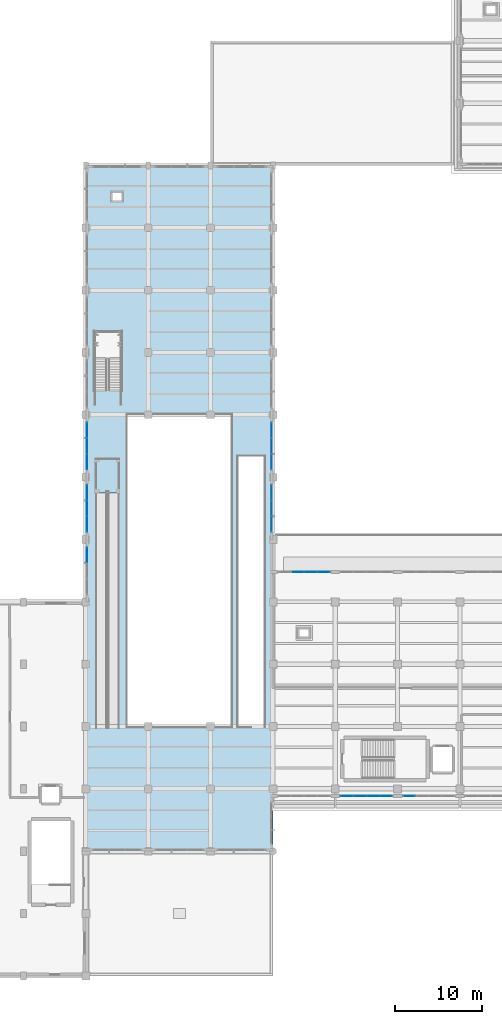
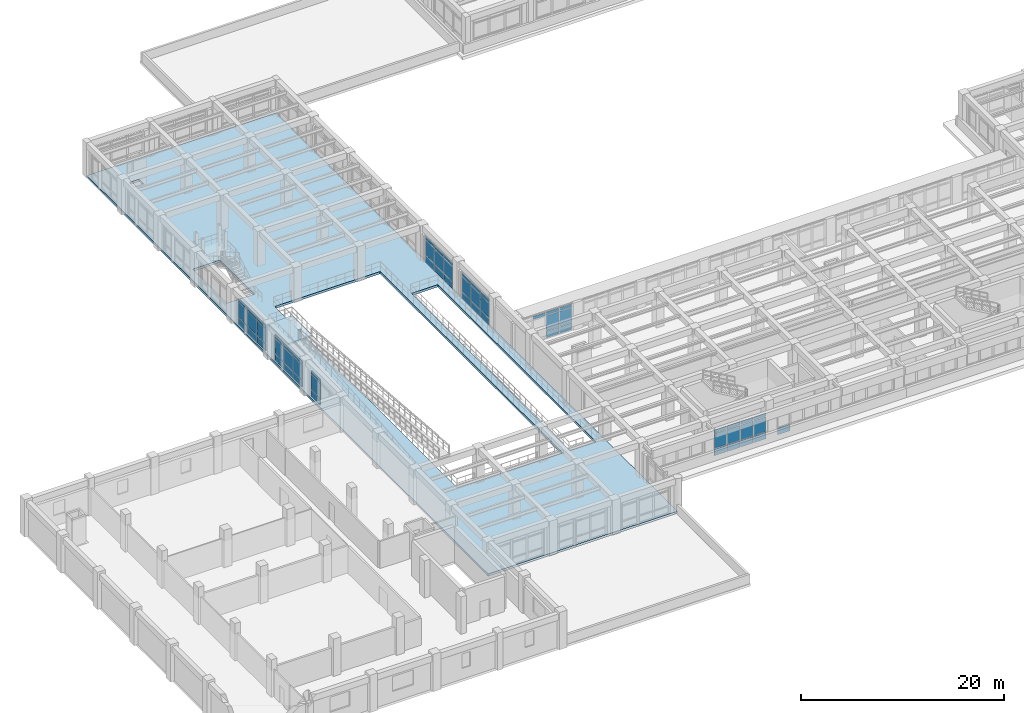
# One storey, part 36 of 69: 59 plates, 2 slabs, 9 elements without a shape of their own.
"""IFC4 building model written with IfcOpenShell, lengths in metres."""

import ifcopenshell
import ifcopenshell.guid

model = None  # the IFC model being written
_history = None  # IfcOwnerHistory: only IFC2X3 demands one
_inside = {}  # id of a spatial element -> (the spatial element, [elements in it])
_under = {}  # id of a project, library or spatial element -> (it, [spatial elements below it])
_declared = {}  # id of a project -> (the project, [libraries it declares])
_typed = {}  # id of a type object -> (the type object, [elements of that type])
_made_of = {}  # id of a material, layer set ... -> (it, [elements and type objects made of it])


def new_model(schema):
    """Start an empty IFC model of exactly this schema.

    Asked for "IFC4X3", IfcOpenShell would pick the latest addendum, in which some entities
    have other attributes; the version numbers below select the first issue.
    IFC2X3 requires an IfcOwnerHistory on every rooted entity: one is made here for all.
    """
    global model, _history
    if schema == "IFC4X3":
        model = ifcopenshell.file(schema_version=(4, 3, 0, 0))
    else:
        model = ifcopenshell.file(schema=schema)
    _inside.clear()
    _under.clear()
    _declared.clear()
    _typed.clear()
    _made_of.clear()
    _history = None
    if model.schema == "IFC2X3":
        org = make("IfcOrganization", Name="unknown")
        user = make(
            "IfcPersonAndOrganization",
            ThePerson=make("IfcPerson", FamilyName="unknown"),
            TheOrganization=org,
        )
        app = make(
            "IfcApplication",
            ApplicationDeveloper=org,
            Version="unknown",
            ApplicationFullName="unknown",
            ApplicationIdentifier="unknown",
        )
        _history = make(
            "IfcOwnerHistory",
            OwningUser=user,
            OwningApplication=app,
            ChangeAction="ADDED",
            CreationDate=0,
        )
    return model


def make(cls, **values):
    """One entity of the class cls with the attributes given. An attribute that is None is left unset."""
    return model.create_entity(
        cls, **{name: value for name, value in values.items() if value is not None}
    )


def rooted(cls, **values):
    """An entity with a GlobalId (a new one), such as an element, a storey or a relation."""
    return make(cls, GlobalId=ifcopenshell.guid.new(), OwnerHistory=_history, **values)


def si_unit(unit_type, name, prefix=None):
    """IfcSIUnit, for example si_unit("LENGTHUNIT", "METRE", prefix="MILLI")."""
    return make("IfcSIUnit", UnitType=unit_type, Prefix=prefix, Name=name)


def assignment(units):
    """IfcUnitAssignment: the units of a project."""
    return None if units is None else make("IfcUnitAssignment", Units=units)


def point(xyz):
    """IfcCartesianPoint."""
    return None if xyz is None else make("IfcCartesianPoint", Coordinates=xyz)


def direction(xyz):
    """IfcDirection."""
    return None if xyz is None else make("IfcDirection", DirectionRatios=xyz)


def frame(location, z_axis=None, x_axis=None):
    """IfcAxis2Placement3D, a coordinate frame: its origin and axes. An axis left out is left unset."""
    return make(
        "IfcAxis2Placement3D",
        Location=point(location),
        Axis=direction(z_axis),
        RefDirection=direction(x_axis),
    )


def frame_2d(location, x_axis=None):
    """IfcAxis2Placement2D, a coordinate frame in the plane: its origin and x axis."""
    return make(
        "IfcAxis2Placement2D", Location=point(location), RefDirection=direction(x_axis)
    )


def origin():
    """The frame at (0, 0, 0) with its axes left unset."""
    return frame((0.0, 0.0, 0.0))


def origin_2d():
    """The frame at (0, 0) in the plane with its x axis left unset."""
    return frame_2d((0.0, 0.0))


def place(relative_to, where):
    """IfcLocalPlacement: puts the frame where relative to a parent placement (None: the world)."""
    return make(
        "IfcLocalPlacement", PlacementRelTo=relative_to, RelativePlacement=where
    )


def context(
    kind, dimensions, precision=None, world=None, true_north=None, identifier=None
):
    """IfcGeometricRepresentationContext, for example the 3D "Model" context."""
    return make(
        "IfcGeometricRepresentationContext",
        ContextIdentifier=identifier,
        ContextType=kind,
        CoordinateSpaceDimension=dimensions,
        Precision=precision,
        WorldCoordinateSystem=world,
        TrueNorth=true_north,
    )


def subcontext(parent, identifier, kind, view, scale=None):
    """IfcGeometricRepresentationSubContext, for example "Body" below "Model"."""
    return make(
        "IfcGeometricRepresentationSubContext",
        ContextIdentifier=identifier,
        ContextType=kind,
        ParentContext=parent,
        TargetScale=scale,
        TargetView=view,
    )


def project(units=None, contexts=None):
    """IfcProject with its units and contexts."""
    return rooted(
        "IfcProject",
        Name="project",
        RepresentationContexts=contexts,
        UnitsInContext=assignment(units),
    )


def spatial(cls, under=None, at=None, **own):
    """A site, building, storey or space (cls), placed at a placement, below another one or the project."""
    s = rooted(cls, ObjectPlacement=at, **own)
    if under is not None:
        _under.setdefault(under.id(), (under, []))[1].append(s)
    return s


def polyline(points):
    """IfcPolyline through the points."""
    return make("IfcPolyline", Points=[point(p) for p in points])


def profile(cls, at=None, kind="AREA", **sizes):
    """A parametric profile (cls). Its sizes go by their IFC names, for example OverallWidth=200.0."""
    return make(cls, ProfileType=kind, Position=at, **sizes)


def rectangle(**sizes):
    """IfcRectangleProfileDef."""
    return profile("IfcRectangleProfileDef", **sizes)


def outline(outer, holes=None, kind="AREA"):
    """IfcArbitraryClosedProfileDef: a profile drawn as a closed curve; with holes, ...WithVoids."""
    if holes is None:
        return make("IfcArbitraryClosedProfileDef", ProfileType=kind, OuterCurve=outer)
    return make(
        "IfcArbitraryProfileDefWithVoids",
        ProfileType=kind,
        OuterCurve=outer,
        InnerCurves=holes,
    )


def extrude(swept, where, along, depth):
    """IfcExtrudedAreaSolid: the profile swept, set in the frame where, extruded along a direction by depth."""
    return make(
        "IfcExtrudedAreaSolid",
        SweptArea=swept,
        Position=where,
        ExtrudedDirection=direction(along),
        Depth=depth,
    )


def shape(context_of_items, identifier, shape_type, items):
    """IfcShapeRepresentation: the items that make up one representation, for example the "Body"."""
    return make(
        "IfcShapeRepresentation",
        ContextOfItems=context_of_items,
        RepresentationIdentifier=identifier,
        RepresentationType=shape_type,
        Items=items,
    )


def material(Name=None, Category=None):
    """IfcMaterial."""
    return make("IfcMaterial", Name=Name, Category=Category)


def layer(
    of_material, thickness, ventilated=None, Name=None, Category=None, Priority=None
):
    """IfcMaterialLayer: one layer of a wall or slab, of a material (None: an air gap)."""
    return make(
        "IfcMaterialLayer",
        Material=of_material,
        LayerThickness=thickness,
        IsVentilated=ventilated,
        Name=Name,
        Category=Category,
        Priority=Priority,
    )


def layer_set(layers, Name=None):
    """IfcMaterialLayerSet."""
    return make("IfcMaterialLayerSet", MaterialLayers=layers, LayerSetName=Name)


def made_of(thing, what):
    """Note that an element or type object is made of a material, layer set ...; save() writes the relation."""
    if what is not None:
        _made_of.setdefault(what.id(), (what, []))[1].append(thing)
    return thing


def type_object(cls, material=None, **own):
    """A type object (cls), such as IfcWallType, which elements share."""
    return made_of(rooted(cls, **own), material)


def element(
    cls,
    number,
    at=None,
    inside=None,
    cuts=None,
    type_object=None,
    material=None,
    context=None,
    identifier="Body",
    shape_type=None,
    held_by="IfcProductDefinitionShape",
    body=None,
    shapes=None,
    **own,
):
    """One element of the class cls, such as IfcWall. Its Tag is "e" and its number.

    at: its placement. inside: the storey or other place that contains it. cuts: it is an
    opening in that element (IfcRelVoidsElement). A single representation is given by context,
    identifier, shape_type and body (its items); several are given by shapes. held_by: the class
    of the entity that holds the representations. save() writes the other relations.
    """
    e = rooted(cls, Tag="e%d" % number, ObjectPlacement=at, **own)
    if body is not None:
        shapes = [shape(context, identifier, shape_type, body)]
    if shapes is not None:
        e.Representation = make(held_by, Representations=shapes)
    if inside is not None:
        _inside.setdefault(inside.id(), (inside, []))[1].append(e)
    if cuts is not None:
        rooted(
            "IfcRelVoidsElement", RelatingBuildingElement=cuts, RelatedOpeningElement=e
        )
    if type_object is not None:
        _typed.setdefault(type_object.id(), (type_object, []))[1].append(e)
    return made_of(e, material)


def aggregate(whole, parts):
    """IfcRelAggregates: a whole, such as a stair, and the parts it consists of."""
    return rooted("IfcRelAggregates", RelatingObject=whole, RelatedObjects=parts)


def save(model, path):
    """Write the relations noted so far, then the file.

    IfcRelAggregates (storeys below a building ...), IfcRelContainedInSpatialStructure (elements
    in a storey), IfcRelDefinesByType, IfcRelAssociatesMaterial and IfcRelDeclares: one each for
    every whole, place, type object, material and project.
    """
    for whole, parts in _under.values():
        aggregate(whole, parts)
    for where, things in _inside.values():
        rooted(
            "IfcRelContainedInSpatialStructure",
            RelatedElements=things,
            RelatingStructure=where,
        )
    for kind, things in _typed.values():
        rooted("IfcRelDefinesByType", RelatedObjects=things, RelatingType=kind)
    for what, things in _made_of.values():
        rooted("IfcRelAssociatesMaterial", RelatedObjects=things, RelatingMaterial=what)
    for by, libraries in _declared.values():
        rooted("IfcRelDeclares", RelatingContext=by, RelatedDefinitions=libraries)
    model.write(path)


model = new_model("IFC4")

# Units and contexts
model_context = context("Model", 3, precision=1e-05, world=origin(), true_north=direction((0.0, 1.0)))
body_context = subcontext(model_context, "Body", "Model", "MODEL_VIEW")
ifc_project = project(units=[si_unit("LENGTHUNIT", "METRE"), si_unit("AREAUNIT", "SQUARE_METRE"), si_unit("VOLUMEUNIT", "CUBIC_METRE"), si_unit("PLANEANGLEUNIT", "RADIAN"), si_unit("MASSUNIT", "GRAM", prefix="KILO")], contexts=[model_context])

# Site, building, storey
site_placement = place(None, origin())
site = spatial("IfcSite", under=ifc_project, at=site_placement, CompositionType="ELEMENT")
building_placement = place(site_placement, origin())
building = spatial("IfcBuilding", under=site, at=building_placement, Name="Solenvale Faculty of Natural Sciences", CompositionType="ELEMENT")
storey_placement = place(building_placement, frame((0.0, 0.0, 4.5)))
storey = spatial("IfcBuildingStorey", under=building, at=storey_placement, Name="L01", CompositionType="ELEMENT", Elevation=4.5)

# Curtain wall, plates
ifc_material_1 = material(Name="Anodised bronze aluminium", Category="aluminium")
ifc_layer_1 = layer(ifc_material_1, 0.215087890625)
ifc_layer_set_1 = layer_set([ifc_layer_1], Name="Anodised bronze aluminium")
curtain_wall_type_1 = type_object("IfcCurtainWallType", Name="CW-ATR-UNIT", PredefinedType="USERDEFINED", material=ifc_layer_set_1)
curtain_wall_1_placement = place(storey_placement, origin())
curtain_wall_1 = element("IfcCurtainWall", 1, at=curtain_wall_1_placement, inside=storey, type_object=curtain_wall_type_1, Name="L01 Curtain Wall CW-L01-P1-E12-B2", ObjectType="UNITISED CURTAIN WALL", PredefinedType="USERDEFINED")
ifc_material_2 = material(Name="North-light skylight glass", Category="glass")
ifc_layer_2 = layer(ifc_material_2, 0.028076171875)
ifc_layer_set_2 = layer_set([ifc_layer_2], Name="North-light skylight glass")
plate_type_1 = type_object("IfcPlateType", Name="CWP-PNL-28", PredefinedType="CURTAIN_PANEL", material=ifc_layer_set_2)
plate_1_placement = place(storey_placement, frame((57.45751953125, 52.185302734375, 0.074951171875), z_axis=(0.0, 0.0, 1.0), x_axis=(0.0, 1.0, 0.0)))
plate_1 = element("IfcPlate", 2, at=plate_1_placement, type_object=plate_type_1, Name="CW-01 panel 1.1", PredefinedType="CURTAIN_PANEL", context=body_context, shape_type="SweptSolid", body=[
    extrude(rectangle(XDim=1.720947265625, YDim=0.028076171875, at=origin_2d()), origin(), (0.0, 0.0, 1.0), 0.78759765625),
])
plate_2_placement = place(storey_placement, frame((57.45751953125, 52.185302734375, 0.9375), z_axis=(0.0, 0.0, 1.0), x_axis=(0.0, 1.0, 0.0)))
plate_2 = element("IfcPlate", 3, at=plate_2_placement, type_object=plate_type_1, Name="CW-01 panel 1.2", PredefinedType="CURTAIN_PANEL", context=body_context, shape_type="SweptSolid", body=[
    extrude(rectangle(XDim=1.720947265625, YDim=0.028076171875, at=origin_2d()), origin(), (0.0, 0.0, 1.0), 1.784912109375),
])
plate_3_placement = place(storey_placement, frame((57.45751953125, 52.185302734375, 2.79736328125), z_axis=(0.0, 0.0, 1.0), x_axis=(0.0, 1.0, 0.0)))
plate_3 = element("IfcPlate", 4, at=plate_3_placement, type_object=plate_type_1, Name="CW-01 panel 1.3", PredefinedType="CURTAIN_PANEL", context=body_context, shape_type="SweptSolid", body=[
    extrude(rectangle(XDim=1.720947265625, YDim=0.028076171875, at=origin_2d()), origin(), (0.0, 0.0, 1.0), 0.387451171875),
])
plate_4_placement = place(storey_placement, frame((57.45751953125, 54.0, 0.074951171875), z_axis=(0.0, 0.0, 1.0), x_axis=(0.0, 1.0, 0.0)))
plate_4 = element("IfcPlate", 5, at=plate_4_placement, type_object=plate_type_1, Name="CW-01 panel 2.1", PredefinedType="CURTAIN_PANEL", context=body_context, shape_type="SweptSolid", body=[
    extrude(rectangle(XDim=1.75830078125, YDim=0.028076171875, at=origin_2d()), origin(), (0.0, 0.0, 1.0), 0.78759765625),
])
plate_5_placement = place(storey_placement, frame((57.45751953125, 54.0, 0.9375), z_axis=(0.0, 0.0, 1.0), x_axis=(0.0, 1.0, 0.0)))
plate_5 = element("IfcPlate", 6, at=plate_5_placement, type_object=plate_type_1, Name="CW-01 panel 2.2", PredefinedType="CURTAIN_PANEL", context=body_context, shape_type="SweptSolid", body=[
    extrude(rectangle(XDim=1.75830078125, YDim=0.028076171875, at=origin_2d()), origin(), (0.0, 0.0, 1.0), 1.784912109375),
])
plate_6_placement = place(storey_placement, frame((57.45751953125, 54.0, 2.79736328125), z_axis=(0.0, 0.0, 1.0), x_axis=(0.0, 1.0, 0.0)))
plate_6 = element("IfcPlate", 7, at=plate_6_placement, type_object=plate_type_1, Name="CW-01 panel 2.3", PredefinedType="CURTAIN_PANEL", context=body_context, shape_type="SweptSolid", body=[
    extrude(rectangle(XDim=1.75830078125, YDim=0.028076171875, at=origin_2d()), origin(), (0.0, 0.0, 1.0), 0.387451171875),
])
plate_7_placement = place(storey_placement, frame((57.45751953125, 55.814697265625, 0.074951171875), z_axis=(0.0, 0.0, 1.0), x_axis=(0.0, 1.0, 0.0)))
plate_7 = element("IfcPlate", 8, at=plate_7_placement, type_object=plate_type_1, Name="CW-01 panel 3.1", PredefinedType="CURTAIN_PANEL", context=body_context, shape_type="SweptSolid", body=[
    extrude(rectangle(XDim=1.720947265625, YDim=0.028076171875, at=origin_2d()), origin(), (0.0, 0.0, 1.0), 0.78759765625),
])
plate_8_placement = place(storey_placement, frame((57.45751953125, 55.814697265625, 0.9375), z_axis=(0.0, 0.0, 1.0), x_axis=(0.0, 1.0, 0.0)))
plate_8 = element("IfcPlate", 9, at=plate_8_placement, type_object=plate_type_1, Name="CW-01 panel 3.2", PredefinedType="CURTAIN_PANEL", context=body_context, shape_type="SweptSolid", body=[
    extrude(rectangle(XDim=1.720947265625, YDim=0.028076171875, at=origin_2d()), origin(), (0.0, 0.0, 1.0), 1.784912109375),
])
plate_9_placement = place(storey_placement, frame((57.45751953125, 55.814697265625, 2.79736328125), z_axis=(0.0, 0.0, 1.0), x_axis=(0.0, 1.0, 0.0)))
plate_9 = element("IfcPlate", 10, at=plate_9_placement, type_object=plate_type_1, Name="CW-01 panel 3.3", PredefinedType="CURTAIN_PANEL", context=body_context, shape_type="SweptSolid", body=[
    extrude(rectangle(XDim=1.720947265625, YDim=0.028076171875, at=origin_2d()), origin(), (0.0, 0.0, 1.0), 0.387451171875),
])
aggregate(curtain_wall_1, [plate_1, plate_2, plate_3, plate_4, plate_5, plate_6, plate_7, plate_8, plate_9])

ifc_layer_3 = layer(ifc_material_1, 0.18994140625)
ifc_layer_set_3 = layer_set([ifc_layer_3], Name="Anodised bronze aluminium")
curtain_wall_type_2 = type_object("IfcCurtainWallType", Name="CW-TRAY-REC", PredefinedType="USERDEFINED", material=ifc_layer_set_3)
curtain_wall_2_placement = place(storey_placement, origin())
curtain_wall_2 = element("IfcCurtainWall", 11, at=curtain_wall_2_placement, inside=storey, type_object=curtain_wall_type_2, Name="L01 Curtain Wall CW-L01-P1-E5-B2", ObjectType="UNITISED CURTAIN WALL", PredefinedType="USERDEFINED")
ifc_material_3 = material(Name="Triple low-E insulated glass", Category="glass")
ifc_layer_4 = layer(ifc_material_3, 0.031982421875)
ifc_layer_set_4 = layer_set([ifc_layer_4], Name="Triple low-E insulated glass")
plate_type_2 = type_object("IfcPlateType", Name="CWP-PNL-32", PredefinedType="CURTAIN_PANEL", material=ifc_layer_set_4)
plate_10_placement = place(storey_placement, frame((66.15380859375, 20.762451171875, 0.074951171875), z_axis=(0.0, 0.0, 1.0), x_axis=(1.0, 0.0, 0.0)))
plate_10 = element("IfcPlate", 12, at=plate_10_placement, type_object=plate_type_2, Name="CW-02 panel 1.1", PredefinedType="CURTAIN_PANEL", context=body_context, shape_type="SweptSolid", body=[
    extrude(rectangle(XDim=1.3974609375, YDim=0.031982421875, at=origin_2d()), origin(), (0.0, 0.0, 1.0), 0.78759765625),
])
plate_11_placement = place(storey_placement, frame((66.15380859375, 20.762451171875, 0.9375), z_axis=(0.0, 0.0, 1.0), x_axis=(1.0, 0.0, 0.0)))
plate_11 = element("IfcPlate", 13, at=plate_11_placement, type_object=plate_type_2, Name="CW-02 panel 1.2", PredefinedType="CURTAIN_PANEL", context=body_context, shape_type="SweptSolid", body=[
    extrude(rectangle(XDim=1.3974609375, YDim=0.031982421875, at=origin_2d()), origin(), (0.0, 0.0, 1.0), 1.784912109375),
])
plate_12_placement = place(storey_placement, frame((66.15380859375, 20.762451171875, 2.79736328125), z_axis=(0.0, 0.0, 1.0), x_axis=(1.0, 0.0, 0.0)))
plate_12 = element("IfcPlate", 14, at=plate_12_placement, type_object=plate_type_2, Name="CW-02 panel 1.3", PredefinedType="CURTAIN_PANEL", context=body_context, shape_type="SweptSolid", body=[
    extrude(rectangle(XDim=1.3974609375, YDim=0.031982421875, at=origin_2d()), origin(), (0.0, 0.0, 1.0), 0.387451171875),
])
plate_13_placement = place(storey_placement, frame((67.64501953125, 20.762451171875, 0.074951171875), z_axis=(0.0, 0.0, 1.0), x_axis=(1.0, 0.0, 0.0)))
plate_13 = element("IfcPlate", 15, at=plate_13_placement, type_object=plate_type_2, Name="CW-02 panel 2.1", PredefinedType="CURTAIN_PANEL", context=body_context, shape_type="SweptSolid", body=[
    extrude(rectangle(XDim=1.43505859375, YDim=0.031982421875, at=origin_2d()), origin(), (0.0, 0.0, 1.0), 0.78759765625),
])
plate_14_placement = place(storey_placement, frame((67.64501953125, 20.762451171875, 0.9375), z_axis=(0.0, 0.0, 1.0), x_axis=(1.0, 0.0, 0.0)))
plate_14 = element("IfcPlate", 16, at=plate_14_placement, type_object=plate_type_2, Name="CW-02 panel 2.2", PredefinedType="CURTAIN_PANEL", context=body_context, shape_type="SweptSolid", body=[
    extrude(rectangle(XDim=1.43505859375, YDim=0.031982421875, at=origin_2d()), origin(), (0.0, 0.0, 1.0), 1.784912109375),
])
plate_15_placement = place(storey_placement, frame((67.64501953125, 20.762451171875, 2.79736328125), z_axis=(0.0, 0.0, 1.0), x_axis=(1.0, 0.0, 0.0)))
plate_15 = element("IfcPlate", 17, at=plate_15_placement, type_object=plate_type_2, Name="CW-02 panel 2.3", PredefinedType="CURTAIN_PANEL", context=body_context, shape_type="SweptSolid", body=[
    extrude(rectangle(XDim=1.43505859375, YDim=0.031982421875, at=origin_2d()), origin(), (0.0, 0.0, 1.0), 0.387451171875),
])
plate_16_placement = place(storey_placement, frame((69.155029296875, 20.762451171875, 0.074951171875), z_axis=(0.0, 0.0, 1.0), x_axis=(1.0, 0.0, 0.0)))
plate_16 = element("IfcPlate", 18, at=plate_16_placement, type_object=plate_type_2, Name="CW-02 panel 3.1", PredefinedType="CURTAIN_PANEL", context=body_context, shape_type="SweptSolid", body=[
    extrude(rectangle(XDim=1.43505859375, YDim=0.031982421875, at=origin_2d()), origin(), (0.0, 0.0, 1.0), 0.78759765625),
])
plate_17_placement = place(storey_placement, frame((69.155029296875, 20.762451171875, 0.9375), z_axis=(0.0, 0.0, 1.0), x_axis=(1.0, 0.0, 0.0)))
plate_17 = element("IfcPlate", 19, at=plate_17_placement, type_object=plate_type_2, Name="CW-02 panel 3.2", PredefinedType="CURTAIN_PANEL", context=body_context, shape_type="SweptSolid", body=[
    extrude(rectangle(XDim=1.43505859375, YDim=0.031982421875, at=origin_2d()), origin(), (0.0, 0.0, 1.0), 1.784912109375),
])
plate_18_placement = place(storey_placement, frame((69.155029296875, 20.762451171875, 2.79736328125), z_axis=(0.0, 0.0, 1.0), x_axis=(1.0, 0.0, 0.0)))
plate_18 = element("IfcPlate", 20, at=plate_18_placement, type_object=plate_type_2, Name="CW-02 panel 3.3", PredefinedType="CURTAIN_PANEL", context=body_context, shape_type="SweptSolid", body=[
    extrude(rectangle(XDim=1.43505859375, YDim=0.031982421875, at=origin_2d()), origin(), (0.0, 0.0, 1.0), 0.387451171875),
])
plate_19_placement = place(storey_placement, frame((70.646240234375, 20.762451171875, 0.074951171875), z_axis=(0.0, 0.0, 1.0), x_axis=(1.0, 0.0, 0.0)))
plate_19 = element("IfcPlate", 21, at=plate_19_placement, type_object=plate_type_2, Name="CW-02 panel 4.1", PredefinedType="CURTAIN_PANEL", context=body_context, shape_type="SweptSolid", body=[
    extrude(rectangle(XDim=1.3974609375, YDim=0.031982421875, at=origin_2d()), origin(), (0.0, 0.0, 1.0), 0.78759765625),
])
plate_20_placement = place(storey_placement, frame((70.646240234375, 20.762451171875, 0.9375), z_axis=(0.0, 0.0, 1.0), x_axis=(1.0, 0.0, 0.0)))
plate_20 = element("IfcPlate", 22, at=plate_20_placement, type_object=plate_type_2, Name="CW-02 panel 4.2", PredefinedType="CURTAIN_PANEL", context=body_context, shape_type="SweptSolid", body=[
    extrude(rectangle(XDim=1.3974609375, YDim=0.031982421875, at=origin_2d()), origin(), (0.0, 0.0, 1.0), 1.784912109375),
])
plate_21_placement = place(storey_placement, frame((70.646240234375, 20.762451171875, 2.79736328125), z_axis=(0.0, 0.0, 1.0), x_axis=(1.0, 0.0, 0.0)))
plate_21 = element("IfcPlate", 23, at=plate_21_placement, type_object=plate_type_2, Name="CW-02 panel 4.3", PredefinedType="CURTAIN_PANEL", context=body_context, shape_type="SweptSolid", body=[
    extrude(rectangle(XDim=1.3974609375, YDim=0.031982421875, at=origin_2d()), origin(), (0.0, 0.0, 1.0), 0.387451171875),
])
aggregate(curtain_wall_2, [plate_10, plate_11, plate_12, plate_13, plate_14, plate_15, plate_16, plate_17, plate_18, plate_19, plate_20, plate_21])

curtain_wall_3_placement = place(storey_placement, origin())
curtain_wall_3 = element("IfcCurtainWall", 24, at=curtain_wall_3_placement, inside=storey, type_object=curtain_wall_type_1, Name="L01 Curtain Wall CW-L01-P1-E12-B3", ObjectType="UNITISED CURTAIN WALL", PredefinedType="USERDEFINED")
plate_22_placement = place(storey_placement, frame((57.45751953125, 59.385498046875, 0.074951171875), z_axis=(0.0, 0.0, 1.0), x_axis=(0.0, 1.0, 0.0)))
plate_22 = element("IfcPlate", 25, at=plate_22_placement, type_object=plate_type_2, Name="CW-01 panel 1.1", PredefinedType="CURTAIN_PANEL", context=body_context, shape_type="SweptSolid", body=[
    extrude(rectangle(XDim=1.720947265625, YDim=0.031982421875, at=origin_2d()), origin(), (0.0, 0.0, 1.0), 0.78759765625),
])
plate_23_placement = place(storey_placement, frame((57.45751953125, 59.385498046875, 0.9375), z_axis=(0.0, 0.0, 1.0), x_axis=(0.0, 1.0, 0.0)))
plate_23 = element("IfcPlate", 26, at=plate_23_placement, type_object=plate_type_2, Name="CW-01 panel 1.2", PredefinedType="CURTAIN_PANEL", context=body_context, shape_type="SweptSolid", body=[
    extrude(rectangle(XDim=1.720947265625, YDim=0.031982421875, at=origin_2d()), origin(), (0.0, 0.0, 1.0), 1.784912109375),
])
plate_24_placement = place(storey_placement, frame((57.45751953125, 59.385498046875, 2.79736328125), z_axis=(0.0, 0.0, 1.0), x_axis=(0.0, 1.0, 0.0)))
plate_24 = element("IfcPlate", 27, at=plate_24_placement, type_object=plate_type_2, Name="CW-01 panel 1.3", PredefinedType="CURTAIN_PANEL", context=body_context, shape_type="SweptSolid", body=[
    extrude(rectangle(XDim=1.720947265625, YDim=0.031982421875, at=origin_2d()), origin(), (0.0, 0.0, 1.0), 0.387451171875),
])
plate_25_placement = place(storey_placement, frame((57.45751953125, 61.199951171875, 0.074951171875), z_axis=(0.0, 0.0, 1.0), x_axis=(0.0, 1.0, 0.0)))
plate_25 = element("IfcPlate", 28, at=plate_25_placement, type_object=plate_type_2, Name="CW-01 panel 2.1", PredefinedType="CURTAIN_PANEL", context=body_context, shape_type="SweptSolid", body=[
    extrude(rectangle(XDim=1.75830078125, YDim=0.031982421875, at=origin_2d()), origin(), (0.0, 0.0, 1.0), 0.78759765625),
])
plate_26_placement = place(storey_placement, frame((57.45751953125, 61.199951171875, 0.9375), z_axis=(0.0, 0.0, 1.0), x_axis=(0.0, 1.0, 0.0)))
plate_26 = element("IfcPlate", 29, at=plate_26_placement, type_object=plate_type_2, Name="CW-01 panel 2.2", PredefinedType="CURTAIN_PANEL", context=body_context, shape_type="SweptSolid", body=[
    extrude(rectangle(XDim=1.75830078125, YDim=0.031982421875, at=origin_2d()), origin(), (0.0, 0.0, 1.0), 1.784912109375),
])
plate_27_placement = place(storey_placement, frame((57.45751953125, 61.199951171875, 2.79736328125), z_axis=(0.0, 0.0, 1.0), x_axis=(0.0, 1.0, 0.0)))
plate_27 = element("IfcPlate", 30, at=plate_27_placement, type_object=plate_type_2, Name="CW-01 panel 2.3", PredefinedType="CURTAIN_PANEL", context=body_context, shape_type="SweptSolid", body=[
    extrude(rectangle(XDim=1.75830078125, YDim=0.031982421875, at=origin_2d()), origin(), (0.0, 0.0, 1.0), 0.387451171875),
])
plate_28_placement = place(storey_placement, frame((57.45751953125, 63.0146484375, 0.074951171875), z_axis=(0.0, 0.0, 1.0), x_axis=(0.0, 1.0, 0.0)))
plate_28 = element("IfcPlate", 31, at=plate_28_placement, type_object=plate_type_2, Name="CW-01 panel 3.1", PredefinedType="CURTAIN_PANEL", context=body_context, shape_type="SweptSolid", body=[
    extrude(rectangle(XDim=1.720947265625, YDim=0.031982421875, at=origin_2d()), origin(), (0.0, 0.0, 1.0), 0.78759765625),
])
plate_29_placement = place(storey_placement, frame((57.45751953125, 63.0146484375, 0.9375), z_axis=(0.0, 0.0, 1.0), x_axis=(0.0, 1.0, 0.0)))
plate_29 = element("IfcPlate", 32, at=plate_29_placement, type_object=plate_type_2, Name="CW-01 panel 3.2", PredefinedType="CURTAIN_PANEL", context=body_context, shape_type="SweptSolid", body=[
    extrude(rectangle(XDim=1.720947265625, YDim=0.031982421875, at=origin_2d()), origin(), (0.0, 0.0, 1.0), 1.784912109375),
])
plate_30_placement = place(storey_placement, frame((57.45751953125, 63.0146484375, 2.79736328125), z_axis=(0.0, 0.0, 1.0), x_axis=(0.0, 1.0, 0.0)))
plate_30 = element("IfcPlate", 33, at=plate_30_placement, type_object=plate_type_2, Name="CW-01 panel 3.3", PredefinedType="CURTAIN_PANEL", context=body_context, shape_type="SweptSolid", body=[
    extrude(rectangle(XDim=1.720947265625, YDim=0.031982421875, at=origin_2d()), origin(), (0.0, 0.0, 1.0), 0.387451171875),
])
aggregate(curtain_wall_3, [plate_22, plate_23, plate_24, plate_25, plate_26, plate_27, plate_28, plate_29, plate_30])

# Curtain wall, plate
curtain_wall_4_placement = place(storey_placement, origin())
curtain_wall_4 = element("IfcCurtainWall", 34, at=curtain_wall_4_placement, inside=storey, type_object=curtain_wall_type_2, Name="L01 Curtain Wall CW-L01-P1-E5-B3", ObjectType="UNITISED CURTAIN WALL", PredefinedType="USERDEFINED")
ifc_layer_5 = layer(ifc_material_3, 0.035888671875)
ifc_layer_set_5 = layer_set([ifc_layer_5], Name="Triple low-E insulated glass")
plate_type_3 = type_object("IfcPlateType", Name="CWP-PNL-36", PredefinedType="CURTAIN_PANEL", material=ifc_layer_set_5)
plate_31_placement = place(storey_placement, frame((73.353759765625, 20.762451171875, 0.074951171875), z_axis=(0.0, 0.0, 1.0), x_axis=(1.0, 0.0, 0.0)))
plate_31 = element("IfcPlate", 35, at=plate_31_placement, type_object=plate_type_3, Name="CW-02 panel 1.1", PredefinedType="CURTAIN_PANEL", context=body_context, shape_type="SweptSolid", body=[
    extrude(rectangle(XDim=1.3974609375, YDim=0.035888671875, at=origin_2d()), origin(), (0.0, 0.0, 1.0), 0.78759765625),
])
aggregate(curtain_wall_4, [plate_31])

# Curtain wall, plates
curtain_wall_5_placement = place(storey_placement, origin())
curtain_wall_5 = element("IfcCurtainWall", 36, at=curtain_wall_5_placement, inside=storey, type_object=curtain_wall_type_2, Name="L01 Curtain Wall CW-L01-P1-E11-B8", ObjectType="UNITISED CURTAIN WALL", PredefinedType="USERDEFINED")
ifc_layer_6 = layer(ifc_material_1, 0.048095703125)
ifc_layer_set_6 = layer_set([ifc_layer_6], Name="Anodised bronze aluminium")
plate_type_4 = type_object("IfcPlateType", Name="CWP-PNL-48", PredefinedType="CURTAIN_PANEL", material=ifc_layer_set_6)
plate_32_placement = place(storey_placement, frame((63.4462890625, 46.637451171875, 0.074951171875), z_axis=(0.0, 0.0, 1.0), x_axis=(-1.0, 0.0, 0.0)))
plate_32 = element("IfcPlate", 37, at=plate_32_placement, type_object=plate_type_4, Name="CW-02 panel 1.1", PredefinedType="CURTAIN_PANEL", context=body_context, shape_type="SweptSolid", body=[
    extrude(rectangle(XDim=1.3974609375, YDim=0.048095703125, at=origin_2d()), origin(), (0.0, 0.0, 1.0), 0.78759765625),
])
plate_33_placement = place(storey_placement, frame((63.4462890625, 46.637451171875, 0.9375), z_axis=(0.0, 0.0, 1.0), x_axis=(-1.0, 0.0, 0.0)))
plate_33 = element("IfcPlate", 38, at=plate_33_placement, type_object=plate_type_4, Name="CW-02 panel 1.2", PredefinedType="CURTAIN_PANEL", context=body_context, shape_type="SweptSolid", body=[
    extrude(rectangle(XDim=1.3974609375, YDim=0.048095703125, at=origin_2d()), origin(), (0.0, 0.0, 1.0), 1.784912109375),
])
plate_34_placement = place(storey_placement, frame((63.4462890625, 46.637451171875, 2.79736328125), z_axis=(0.0, 0.0, 1.0), x_axis=(-1.0, 0.0, 0.0)))
plate_34 = element("IfcPlate", 39, at=plate_34_placement, type_object=plate_type_4, Name="CW-02 panel 1.3", PredefinedType="CURTAIN_PANEL", context=body_context, shape_type="SweptSolid", body=[
    extrude(rectangle(XDim=1.3974609375, YDim=0.048095703125, at=origin_2d()), origin(), (0.0, 0.0, 1.0), 0.387451171875),
])
plate_35_placement = place(storey_placement, frame((61.955078125, 46.637451171875, 0.074951171875), z_axis=(0.0, 0.0, 1.0), x_axis=(-1.0, 0.0, 0.0)))
plate_35 = element("IfcPlate", 40, at=plate_35_placement, type_object=plate_type_4, Name="CW-02 panel 2.1", PredefinedType="CURTAIN_PANEL", context=body_context, shape_type="SweptSolid", body=[
    extrude(rectangle(XDim=1.43505859375, YDim=0.048095703125, at=origin_2d()), origin(), (0.0, 0.0, 1.0), 0.78759765625),
])
plate_36_placement = place(storey_placement, frame((61.955078125, 46.637451171875, 0.9375), z_axis=(0.0, 0.0, 1.0), x_axis=(-1.0, 0.0, 0.0)))
plate_36 = element("IfcPlate", 41, at=plate_36_placement, type_object=plate_type_4, Name="CW-02 panel 2.2", PredefinedType="CURTAIN_PANEL", context=body_context, shape_type="SweptSolid", body=[
    extrude(rectangle(XDim=1.43505859375, YDim=0.048095703125, at=origin_2d()), origin(), (0.0, 0.0, 1.0), 1.784912109375),
])
plate_37_placement = place(storey_placement, frame((61.955078125, 46.637451171875, 2.79736328125), z_axis=(0.0, 0.0, 1.0), x_axis=(-1.0, 0.0, 0.0)))
plate_37 = element("IfcPlate", 42, at=plate_37_placement, type_object=plate_type_4, Name="CW-02 panel 2.3", PredefinedType="CURTAIN_PANEL", context=body_context, shape_type="SweptSolid", body=[
    extrude(rectangle(XDim=1.43505859375, YDim=0.048095703125, at=origin_2d()), origin(), (0.0, 0.0, 1.0), 0.387451171875),
])
plate_38_placement = place(storey_placement, frame((60.445068359375, 46.637451171875, 2.79736328125), z_axis=(0.0, 0.0, 1.0), x_axis=(-1.0, 0.0, 0.0)))
plate_38 = element("IfcPlate", 43, at=plate_38_placement, type_object=plate_type_4, Name="CW-02 panel 3.3", PredefinedType="CURTAIN_PANEL", context=body_context, shape_type="SweptSolid", body=[
    extrude(rectangle(XDim=1.43505859375, YDim=0.048095703125, at=origin_2d()), origin(), (0.0, 0.0, 1.0), 0.387451171875),
])
aggregate(curtain_wall_5, [plate_32, plate_33, plate_34, plate_35, plate_36, plate_37, plate_38])

curtain_wall_6_placement = place(storey_placement, origin())
curtain_wall_6 = element("IfcCurtainWall", 44, at=curtain_wall_6_placement, inside=storey, type_object=curtain_wall_type_1, Name="L01 Curtain Wall CW-L01-P1-E14-B5", ObjectType="UNITISED CURTAIN WALL", PredefinedType="USERDEFINED")
plate_39_placement = place(storey_placement, frame((36.142578125, 63.0146484375, 0.074951171875), z_axis=(0.0, 0.0, 1.0), x_axis=(0.0, -1.0, 0.0)))
plate_39 = element("IfcPlate", 45, at=plate_39_placement, type_object=plate_type_4, Name="CW-01 panel 1.1", PredefinedType="CURTAIN_PANEL", context=body_context, shape_type="SweptSolid", body=[
    extrude(rectangle(XDim=1.720947265625, YDim=0.048095703125, at=origin_2d()), origin(), (0.0, 0.0, 1.0), 0.78759765625),
])
plate_40_placement = place(storey_placement, frame((36.142578125, 63.0146484375, 0.9375), z_axis=(0.0, 0.0, 1.0), x_axis=(0.0, -1.0, 0.0)))
plate_40 = element("IfcPlate", 46, at=plate_40_placement, type_object=plate_type_4, Name="CW-01 panel 1.2", PredefinedType="CURTAIN_PANEL", context=body_context, shape_type="SweptSolid", body=[
    extrude(rectangle(XDim=1.720947265625, YDim=0.048095703125, at=origin_2d()), origin(), (0.0, 0.0, 1.0), 1.784912109375),
])
plate_41_placement = place(storey_placement, frame((36.142578125, 63.0146484375, 2.79736328125), z_axis=(0.0, 0.0, 1.0), x_axis=(0.0, -1.0, 0.0)))
plate_41 = element("IfcPlate", 47, at=plate_41_placement, type_object=plate_type_4, Name="CW-01 panel 1.3", PredefinedType="CURTAIN_PANEL", context=body_context, shape_type="SweptSolid", body=[
    extrude(rectangle(XDim=1.720947265625, YDim=0.048095703125, at=origin_2d()), origin(), (0.0, 0.0, 1.0), 0.387451171875),
])
plate_42_placement = place(storey_placement, frame((36.142578125, 61.199951171875, 0.074951171875), z_axis=(0.0, 0.0, 1.0), x_axis=(0.0, -1.0, 0.0)))
plate_42 = element("IfcPlate", 48, at=plate_42_placement, type_object=plate_type_4, Name="CW-01 panel 2.1", PredefinedType="CURTAIN_PANEL", context=body_context, shape_type="SweptSolid", body=[
    extrude(rectangle(XDim=1.75830078125, YDim=0.048095703125, at=origin_2d()), origin(), (0.0, 0.0, 1.0), 0.78759765625),
])
plate_43_placement = place(storey_placement, frame((36.142578125, 61.199951171875, 0.9375), z_axis=(0.0, 0.0, 1.0), x_axis=(0.0, -1.0, 0.0)))
plate_43 = element("IfcPlate", 49, at=plate_43_placement, type_object=plate_type_4, Name="CW-01 panel 2.2", PredefinedType="CURTAIN_PANEL", context=body_context, shape_type="SweptSolid", body=[
    extrude(rectangle(XDim=1.75830078125, YDim=0.048095703125, at=origin_2d()), origin(), (0.0, 0.0, 1.0), 1.784912109375),
])
plate_44_placement = place(storey_placement, frame((36.142578125, 61.199951171875, 2.79736328125), z_axis=(0.0, 0.0, 1.0), x_axis=(0.0, -1.0, 0.0)))
plate_44 = element("IfcPlate", 50, at=plate_44_placement, type_object=plate_type_4, Name="CW-01 panel 2.3", PredefinedType="CURTAIN_PANEL", context=body_context, shape_type="SweptSolid", body=[
    extrude(rectangle(XDim=1.75830078125, YDim=0.048095703125, at=origin_2d()), origin(), (0.0, 0.0, 1.0), 0.387451171875),
])
plate_45_placement = place(storey_placement, frame((36.142578125, 59.385498046875, 0.074951171875), z_axis=(0.0, 0.0, 1.0), x_axis=(0.0, -1.0, 0.0)))
plate_45 = element("IfcPlate", 51, at=plate_45_placement, type_object=plate_type_4, Name="CW-01 panel 3.1", PredefinedType="CURTAIN_PANEL", context=body_context, shape_type="SweptSolid", body=[
    extrude(rectangle(XDim=1.720947265625, YDim=0.048095703125, at=origin_2d()), origin(), (0.0, 0.0, 1.0), 0.78759765625),
])
plate_46_placement = place(storey_placement, frame((36.142578125, 59.385498046875, 0.9375), z_axis=(0.0, 0.0, 1.0), x_axis=(0.0, -1.0, 0.0)))
plate_46 = element("IfcPlate", 52, at=plate_46_placement, type_object=plate_type_4, Name="CW-01 panel 3.2", PredefinedType="CURTAIN_PANEL", context=body_context, shape_type="SweptSolid", body=[
    extrude(rectangle(XDim=1.720947265625, YDim=0.048095703125, at=origin_2d()), origin(), (0.0, 0.0, 1.0), 1.784912109375),
])
plate_47_placement = place(storey_placement, frame((36.142578125, 59.385498046875, 2.79736328125), z_axis=(0.0, 0.0, 1.0), x_axis=(0.0, -1.0, 0.0)))
plate_47 = element("IfcPlate", 53, at=plate_47_placement, type_object=plate_type_4, Name="CW-01 panel 3.3", PredefinedType="CURTAIN_PANEL", context=body_context, shape_type="SweptSolid", body=[
    extrude(rectangle(XDim=1.720947265625, YDim=0.048095703125, at=origin_2d()), origin(), (0.0, 0.0, 1.0), 0.387451171875),
])
aggregate(curtain_wall_6, [plate_39, plate_40, plate_41, plate_42, plate_43, plate_44, plate_45, plate_46, plate_47])

curtain_wall_7_placement = place(storey_placement, origin())
curtain_wall_7 = element("IfcCurtainWall", 54, at=curtain_wall_7_placement, inside=storey, type_object=curtain_wall_type_1, Name="L01 Curtain Wall CW-L01-P1-E14-B6", ObjectType="UNITISED CURTAIN WALL", PredefinedType="USERDEFINED")
ifc_layer_7 = layer(ifc_material_1, 0.053955078125)
ifc_layer_set_7 = layer_set([ifc_layer_7], Name="Anodised bronze aluminium")
plate_type_5 = type_object("IfcPlateType", Name="CWP-PNL-54", PredefinedType="CURTAIN_PANEL", material=ifc_layer_set_7)
plate_48_placement = place(storey_placement, frame((36.142578125, 55.814697265625, 0.074951171875), z_axis=(0.0, 0.0, 1.0), x_axis=(0.0, -1.0, 0.0)))
plate_48 = element("IfcPlate", 55, at=plate_48_placement, type_object=plate_type_5, Name="CW-01 panel 1.1", PredefinedType="CURTAIN_PANEL", context=body_context, shape_type="SweptSolid", body=[
    extrude(rectangle(XDim=1.720947265625, YDim=0.053955078125, at=origin_2d()), origin(), (0.0, 0.0, 1.0), 0.78759765625),
])
plate_49_placement = place(storey_placement, frame((36.142578125, 55.814697265625, 0.9375), z_axis=(0.0, 0.0, 1.0), x_axis=(0.0, -1.0, 0.0)))
plate_49 = element("IfcPlate", 56, at=plate_49_placement, type_object=plate_type_5, Name="CW-01 panel 1.2", PredefinedType="CURTAIN_PANEL", context=body_context, shape_type="SweptSolid", body=[
    extrude(rectangle(XDim=1.720947265625, YDim=0.053955078125, at=origin_2d()), origin(), (0.0, 0.0, 1.0), 1.784912109375),
])
plate_50_placement = place(storey_placement, frame((36.142578125, 55.814697265625, 2.79736328125), z_axis=(0.0, 0.0, 1.0), x_axis=(0.0, -1.0, 0.0)))
plate_50 = element("IfcPlate", 57, at=plate_50_placement, type_object=plate_type_5, Name="CW-01 panel 1.3", PredefinedType="CURTAIN_PANEL", context=body_context, shape_type="SweptSolid", body=[
    extrude(rectangle(XDim=1.720947265625, YDim=0.053955078125, at=origin_2d()), origin(), (0.0, 0.0, 1.0), 0.387451171875),
])
plate_51_placement = place(storey_placement, frame((36.142578125, 54.0, 0.074951171875), z_axis=(0.0, 0.0, 1.0), x_axis=(0.0, -1.0, 0.0)))
plate_51 = element("IfcPlate", 58, at=plate_51_placement, type_object=plate_type_5, Name="CW-01 panel 2.1", PredefinedType="CURTAIN_PANEL", context=body_context, shape_type="SweptSolid", body=[
    extrude(rectangle(XDim=1.75830078125, YDim=0.053955078125, at=origin_2d()), origin(), (0.0, 0.0, 1.0), 0.78759765625),
])
plate_52_placement = place(storey_placement, frame((36.142578125, 54.0, 0.9375), z_axis=(0.0, 0.0, 1.0), x_axis=(0.0, -1.0, 0.0)))
plate_52 = element("IfcPlate", 59, at=plate_52_placement, type_object=plate_type_5, Name="CW-01 panel 2.2", PredefinedType="CURTAIN_PANEL", context=body_context, shape_type="SweptSolid", body=[
    extrude(rectangle(XDim=1.75830078125, YDim=0.053955078125, at=origin_2d()), origin(), (0.0, 0.0, 1.0), 1.784912109375),
])
plate_53_placement = place(storey_placement, frame((36.142578125, 54.0, 2.79736328125), z_axis=(0.0, 0.0, 1.0), x_axis=(0.0, -1.0, 0.0)))
plate_53 = element("IfcPlate", 60, at=plate_53_placement, type_object=plate_type_5, Name="CW-01 panel 2.3", PredefinedType="CURTAIN_PANEL", context=body_context, shape_type="SweptSolid", body=[
    extrude(rectangle(XDim=1.75830078125, YDim=0.053955078125, at=origin_2d()), origin(), (0.0, 0.0, 1.0), 0.387451171875),
])
plate_54_placement = place(storey_placement, frame((36.142578125, 52.185302734375, 0.074951171875), z_axis=(0.0, 0.0, 1.0), x_axis=(0.0, -1.0, 0.0)))
plate_54 = element("IfcPlate", 61, at=plate_54_placement, type_object=plate_type_5, Name="CW-01 panel 3.1", PredefinedType="CURTAIN_PANEL", context=body_context, shape_type="SweptSolid", body=[
    extrude(rectangle(XDim=1.720947265625, YDim=0.053955078125, at=origin_2d()), origin(), (0.0, 0.0, 1.0), 0.78759765625),
])
plate_55_placement = place(storey_placement, frame((36.142578125, 52.185302734375, 0.9375), z_axis=(0.0, 0.0, 1.0), x_axis=(0.0, -1.0, 0.0)))
plate_55 = element("IfcPlate", 62, at=plate_55_placement, type_object=plate_type_5, Name="CW-01 panel 3.2", PredefinedType="CURTAIN_PANEL", context=body_context, shape_type="SweptSolid", body=[
    extrude(rectangle(XDim=1.720947265625, YDim=0.053955078125, at=origin_2d()), origin(), (0.0, 0.0, 1.0), 1.784912109375),
])
plate_56_placement = place(storey_placement, frame((36.142578125, 52.185302734375, 2.79736328125), z_axis=(0.0, 0.0, 1.0), x_axis=(0.0, -1.0, 0.0)))
plate_56 = element("IfcPlate", 63, at=plate_56_placement, type_object=plate_type_5, Name="CW-01 panel 3.3", PredefinedType="CURTAIN_PANEL", context=body_context, shape_type="SweptSolid", body=[
    extrude(rectangle(XDim=1.720947265625, YDim=0.053955078125, at=origin_2d()), origin(), (0.0, 0.0, 1.0), 0.387451171875),
])
aggregate(curtain_wall_7, [plate_48, plate_49, plate_50, plate_51, plate_52, plate_53, plate_54, plate_55, plate_56])

curtain_wall_8_placement = place(storey_placement, origin())
curtain_wall_8 = element("IfcCurtainWall", 64, at=curtain_wall_8_placement, inside=storey, type_object=curtain_wall_type_1, Name="L01 Curtain Wall CW-L01-P1-E14-B7", ObjectType="UNITISED CURTAIN WALL", PredefinedType="USERDEFINED")
ifc_layer_8 = layer(ifc_material_1, 0.06005859375)
ifc_layer_set_8 = layer_set([ifc_layer_8], Name="Anodised bronze aluminium")
plate_type_6 = type_object("IfcPlateType", Name="CWP-PNL-60", PredefinedType="CURTAIN_PANEL", material=ifc_layer_set_8)
plate_57_placement = place(storey_placement, frame((36.142578125, 48.614501953125, 0.074951171875), z_axis=(0.0, 0.0, 1.0), x_axis=(0.0, -1.0, 0.0)))
plate_57 = element("IfcPlate", 65, at=plate_57_placement, type_object=plate_type_6, Name="CW-01 panel 1.1", PredefinedType="CURTAIN_PANEL", context=body_context, shape_type="SweptSolid", body=[
    extrude(rectangle(XDim=1.720947265625, YDim=0.06005859375, at=origin_2d()), origin(), (0.0, 0.0, 1.0), 0.78759765625),
])
plate_58_placement = place(storey_placement, frame((36.142578125, 48.614501953125, 0.9375), z_axis=(0.0, 0.0, 1.0), x_axis=(0.0, -1.0, 0.0)))
plate_58 = element("IfcPlate", 66, at=plate_58_placement, type_object=plate_type_6, Name="CW-01 panel 1.2", PredefinedType="CURTAIN_PANEL", context=body_context, shape_type="SweptSolid", body=[
    extrude(rectangle(XDim=1.720947265625, YDim=0.06005859375, at=origin_2d()), origin(), (0.0, 0.0, 1.0), 1.784912109375),
])
plate_59_placement = place(storey_placement, frame((36.142578125, 48.614501953125, 2.79736328125), z_axis=(0.0, 0.0, 1.0), x_axis=(0.0, -1.0, 0.0)))
plate_59 = element("IfcPlate", 67, at=plate_59_placement, type_object=plate_type_6, Name="CW-01 panel 1.3", PredefinedType="CURTAIN_PANEL", context=body_context, shape_type="SweptSolid", body=[
    extrude(rectangle(XDim=1.720947265625, YDim=0.06005859375, at=origin_2d()), origin(), (0.0, 0.0, 1.0), 0.387451171875),
])
aggregate(curtain_wall_8, [plate_57, plate_58, plate_59])

# Slab
ifc_material_4 = material(Name="Concrete 40 MPa", Category="concrete")
ifc_layer_9 = layer(ifc_material_4, 0.280029296875)
ifc_layer_set_9 = layer_set([ifc_layer_9], Name="Concrete 40 MPa")
slab_type_1 = type_object("IfcSlabType", Name="SL-FLR-280", PredefinedType="FLOOR", material=ifc_layer_set_9)
slab_1_placement = place(storey_placement, frame((0.0, 0.0, -0.280029296875)))
element("IfcSlab", 68, at=slab_1_placement, inside=storey, type_object=slab_type_1, Name="L01 V3 Floor Slab 1.1", PredefinedType="FLOOR", context=body_context, shape_type="SweptSolid", body=[
    extrude(outline(polyline([(57.60009765625, 14.425048828125), (57.5927734375, 14.4072265625), (57.574951171875, 14.39990234375), (36.02490234375, 14.39990234375), (36.001220703125, 14.417724609375), (36.0, 93.574951171875), (36.017578125, 93.598876953125), (57.574951171875, 93.60009765625), (57.598876953125, 93.582275390625), (57.60009765625, 14.425048828125)]), holes=[polyline([(53.60009765625, 28.800048828125), (56.60009765625, 28.800048828125), (56.60009765625, 60.0), (53.60009765625, 60.0), (53.60009765625, 28.800048828125)]), polyline([(40.800048828125, 28.800048828125), (52.800048828125, 28.800048828125), (52.800048828125, 64.800048828125), (40.800048828125, 64.800048828125), (40.800048828125, 28.800048828125)]), polyline([(39.050048828125, 89.550048828125), (40.14990234375, 89.550048828125), (40.14990234375, 90.449951171875), (39.050048828125, 90.449951171875), (39.050048828125, 89.550048828125)]), polyline([(37.0, 67.64990234375), (40.10009765625, 67.64990234375), (40.10009765625, 74.39990234375), (37.0, 74.39990234375), (37.0, 67.64990234375)])]), origin(), (0.0, 0.0, 1.0), 0.280029296875),
])

# Ramp, slab
ramp_type = type_object("IfcRampType", Name="RMP-ACC-1800", PredefinedType="STRAIGHT_RUN_RAMP", material=ifc_material_4)
ramp_placement = place(storey_placement, origin())
ramp = element("IfcRamp", 69, at=ramp_placement, inside=storey, type_object=ramp_type, Name="L01 Accessible Escarpment Concourse Ramp RMP-02", PredefinedType="HALF_TURN_RAMP")
ifc_layer_10 = layer(ifc_material_4, 0.195068359375)
ifc_layer_set_10 = layer_set([ifc_layer_10], Name="Concrete 40 MPa")
slab_type_2 = type_object("IfcSlabType", Name="SL-LND-195", PredefinedType="LANDING", material=ifc_layer_set_10)
slab_2_placement = place(storey_placement, frame((0.0, 0.0, 2.054931640625)))
slab_2 = element("IfcSlab", 70, at=slab_2_placement, type_object=slab_type_2, Name="RMP-02 Half Landing", PredefinedType="LANDING", context=body_context, shape_type="SweptSolid", body=[
    extrude(outline(polyline([(37.10009765625, 55.800048828125), (39.89990234375, 55.800048828125), (39.89990234375, 59.800048828125), (37.10009765625, 59.800048828125), (37.10009765625, 55.800048828125)])), origin(), (0.0, 0.0, 1.0), 0.195068359375),
])
aggregate(ramp, [slab_2])

save(model, "model.ifc")
